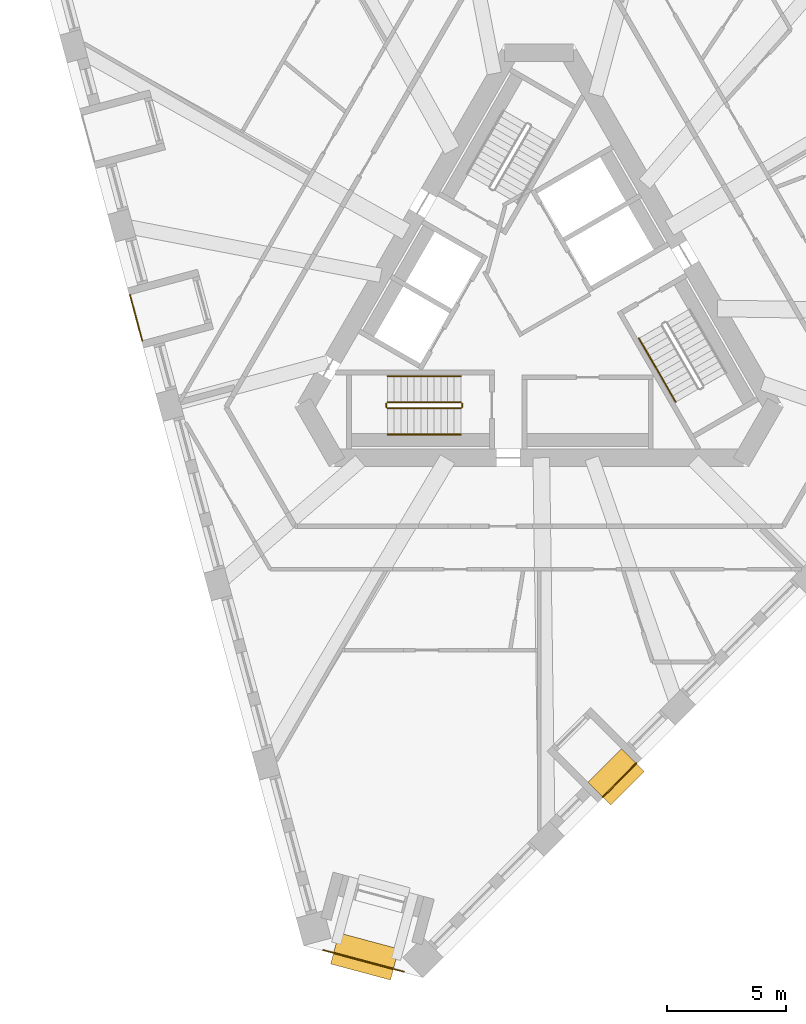
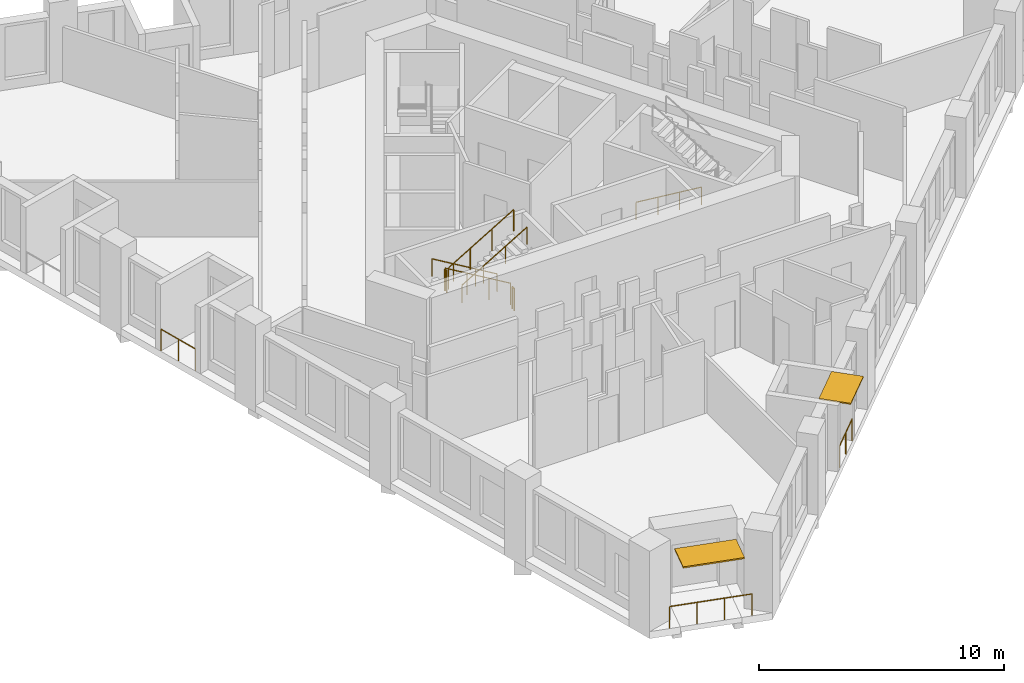
# One storey, part 10 of 13: 10 railings, 2 shading devices.
"""IFC4 building model written with IfcOpenShell, lengths in metres."""

from ifc_helpers import new_model, si_unit, direction, frame, origin, origin_2d, place, context, subcontext, project, spatial, rectangle, circle, extrude, material, layer, layer_set, type_object, element, save


model = new_model("IFC4")

# Units and contexts
model_context = context("Model", 3, precision=1e-05, world=origin(), true_north=direction((0.0, 1.0)))
body_context = subcontext(model_context, "Body", "Model", "MODEL_VIEW")
ifc_project = project(units=[si_unit("LENGTHUNIT", "METRE"), si_unit("AREAUNIT", "SQUARE_METRE"), si_unit("VOLUMEUNIT", "CUBIC_METRE"), si_unit("PLANEANGLEUNIT", "RADIAN"), si_unit("MASSUNIT", "GRAM", prefix="KILO")], contexts=[model_context])

# Site, building, storey
site_placement = place(None, origin())
site = spatial("IfcSite", under=ifc_project, at=site_placement, CompositionType="ELEMENT")
building_placement = place(site_placement, origin())
building = spatial("IfcBuilding", under=site, at=building_placement, Name="Tramontana Tower", CompositionType="ELEMENT")
storey_placement = place(building_placement, frame((0.0, 0.0, 200.0)))
storey = spatial("IfcBuildingStorey", under=building, at=storey_placement, Name="L46", CompositionType="ELEMENT", Elevation=200.0)

# Railings
ifc_material_1 = material(Name="Laminated glass balustrade", Category="glass")
railing_type_1 = type_object("IfcRailingType", Name="GD1 Loggia glass balustrade 1100", PredefinedType="BALUSTRADE", material=ifc_material_1)
railing_1_placement = place(storey_placement, frame((-17.176025390625, 0.466552734375, 0.0)))
element("IfcRailing", 1, at=railing_1_placement, inside=storey, type_object=railing_type_1, Name="Loggia balustrade L46 G5S0.7", PredefinedType="BALUSTRADE", context=body_context, shape_type="SweptSolid", body=[
    extrude(circle(Radius=0.02392578125, at=origin_2d()), frame((0.0, 0.0, 1.076171875), z_axis=(0.258803270362, -0.96593005298, 0.0), x_axis=(0.96593005298, 0.258803270362, 0.0)), (0.0, 0.0, 1.0), 1.998046875),
    extrude(circle(Radius=0.02099609375, at=origin_2d()), origin(), (0.0, 0.0, 1.0), 1.052001953125),
    extrude(circle(Radius=0.02099609375, at=origin_2d()), frame((0.258544921875, -0.96484375, 0.0)), (0.0, 0.0, 1.0), 1.052001953125),
    extrude(circle(Radius=0.02099609375, at=origin_2d()), frame((0.51708984375, -1.929931640625, 0.0)), (0.0, 0.0, 1.0), 1.052001953125),
])
railing_2_placement = place(storey_placement, frame((2.672607421875, -20.619384765625, 0.0)))
element("IfcRailing", 2, at=railing_2_placement, inside=storey, type_object=railing_type_1, Name="Loggia balustrade L46 G5S1.4", PredefinedType="BALUSTRADE", context=body_context, shape_type="SweptSolid", body=[
    extrude(circle(Radius=0.02392578125, at=origin_2d()), frame((0.0, 0.0, 1.076171875), z_axis=(0.707106781187, 0.707106781187, 0.0), x_axis=(-0.707106781187, 0.707106781187, 0.0)), (0.0, 0.0, 1.0), 1.998046875),
    extrude(circle(Radius=0.02099609375, at=origin_2d()), origin(), (0.0, 0.0, 1.0), 1.052001953125),
    extrude(circle(Radius=0.02099609375, at=origin_2d()), frame((0.70654296875, 0.70654296875, 0.0)), (0.0, 0.0, 1.0), 1.052001953125),
    extrude(circle(Radius=0.02099609375, at=origin_2d()), frame((1.412841796875, 1.412841796875, 0.0)), (0.0, 0.0, 1.0), 1.052001953125),
])
railing_3_placement = place(storey_placement, frame((-5.67822265625, -27.952880859375, 0.0)))
element("IfcRailing", 3, at=railing_3_placement, inside=storey, type_object=railing_type_1, Name="Corner loggia balustrade L46 K51", PredefinedType="BALUSTRADE", context=body_context, shape_type="SweptSolid", body=[
    extrude(circle(Radius=0.02392578125, at=origin_2d()), frame((0.0, 0.0, 1.076171875), z_axis=(-0.965913486506, 0.258865093408, 0.0), x_axis=(-0.258865093408, -0.965913486506, 0.0)), (0.0, 0.0, 1.0), 3.5),
    extrude(circle(Radius=0.02099609375, at=origin_2d()), origin(), (0.0, 0.0, 1.0), 1.052001953125),
    extrude(circle(Radius=0.02099609375, at=origin_2d()), frame((-1.126953125, 0.302001953125, 0.0)), (0.0, 0.0, 1.0), 1.052001953125),
    extrude(circle(Radius=0.02099609375, at=origin_2d()), frame((-2.253662109375, 0.60400390625, 0.0)), (0.0, 0.0, 1.0), 1.052001953125),
    extrude(circle(Radius=0.02099609375, at=origin_2d()), frame((-3.380615234375, 0.906005859375, 0.0)), (0.0, 0.0, 1.0), 1.052001953125),
])

# Shading devices
ifc_material_2 = material(Name="Precast concrete 60 MPa", Category="concrete")
ifc_layer_1 = layer(ifc_material_2, 0.06005859375)
ifc_layer_set_1 = layer_set([ifc_layer_1], Name="SS1 Stone sunshade blade 60")
shading_device_type_1 = type_object("IfcShadingDeviceType", Name="SS1 Stone sunshade blade 60", PredefinedType="USERDEFINED", material=ifc_layer_set_1)
shading_device_1_placement = place(storey_placement, frame((3.2412109375, -19.775146484375, 3.239990234375), z_axis=(0.0, 0.0, 1.0), x_axis=(0.707106781187, 0.707106781187, 0.0)))
element("IfcShadingDevice", 4, at=shading_device_1_placement, inside=storey, type_object=shading_device_type_1, Name="Sunshade L46 G5S1.4", ObjectType="SUNSHADE", PredefinedType="USERDEFINED", context=body_context, shape_type="SweptSolid", body=[
    extrude(rectangle(XDim=1.998046875, YDim=1.35009765625, at=origin_2d()), origin(), (0.0, 0.0, 1.0), 0.06005859375),
])
ifc_material_3 = material(Name="Precast concrete 60 MPa", Category="concrete")
ifc_layer_2 = layer(ifc_material_3, 0.070068359375)
ifc_layer_set_2 = layer_set([ifc_layer_2], Name="SS2 Stone sunshade blade 70")
shading_device_type_2 = type_object("IfcShadingDeviceType", Name="SS2 Stone sunshade blade 70", PredefinedType="USERDEFINED", material=ifc_layer_set_2)
shading_device_2_placement = place(storey_placement, frame((-7.318115234375, -27.3115234375, 3.22998046875), z_axis=(0.0, 0.0, 1.0), x_axis=(-0.965925826289, 0.258819045103, 0.0)))
element("IfcShadingDevice", 5, at=shading_device_2_placement, inside=storey, type_object=shading_device_type_2, Name="Corner sunshade L46 K51", ObjectType="SUNSHADE", PredefinedType="USERDEFINED", context=body_context, shape_type="SweptSolid", body=[
    extrude(rectangle(XDim=2.60009765625, YDim=1.35009765625, at=origin_2d()), origin(), (0.0, 0.0, 1.0), 0.070068359375),
])

# Railings
ifc_material_4 = material(Name="Painted steel", Category="steel")
railing_type_2 = type_object("IfcRailingType", Name="STAIR GUARD 1100", PredefinedType="GUARDRAIL", material=ifc_material_4)
railing_4_placement = place(storey_placement, frame((-3.280029296875, -4.050048828125, 0.166748046875)))
element("IfcRailing", 6, at=railing_4_placement, inside=storey, type_object=railing_type_2, Name="L46 ST2 stair guard 1", PredefinedType="GUARDRAIL", context=body_context, shape_type="SweptSolid", body=[
    extrude(circle(Radius=0.02392578125, at=origin_2d()), frame((0.0, 0.0, 1.076171875), z_axis=(-0.859308565015, 0.0, 0.511457515432), x_axis=(0.0, -1.0, 0.0)), (0.0, 0.0, 1.0), 3.58447265625),
    extrude(circle(Radius=0.02099609375, at=origin_2d()), origin(), (0.0, 0.0, 1.0), 1.052001953125),
    extrude(circle(Radius=0.02099609375, at=origin_2d()), frame((-1.026611328125, 0.0, 0.611083984375)), (0.0, 0.0, 1.0), 1.052001953125),
    extrude(circle(Radius=0.02099609375, at=origin_2d()), frame((-2.053466796875, 0.0, 1.22216796875)), (0.0, 0.0, 1.0), 1.052001953125),
    extrude(circle(Radius=0.02099609375, at=origin_2d()), frame((-3.080078125, 0.0, 1.833251953125)), (0.0, 0.0, 1.0), 1.052001953125),
])
railing_5_placement = place(storey_placement, frame((-6.360107421875, -4.300048828125, 2.166748046875)))
element("IfcRailing", 7, at=railing_5_placement, inside=storey, type_object=railing_type_2, Name="L46 ST2 stair guard 2", PredefinedType="GUARDRAIL", context=body_context, shape_type="SweptSolid", body=[
    extrude(circle(Radius=0.02392578125, at=origin_2d()), frame((0.0, 0.0, 1.076171875), z_axis=(0.859308565015, 0.0, 0.511457515432), x_axis=(0.0, 1.0, 0.0)), (0.0, 0.0, 1.0), 3.58447265625),
    extrude(circle(Radius=0.02099609375, at=origin_2d()), origin(), (0.0, 0.0, 1.0), 1.052001953125),
    extrude(circle(Radius=0.02099609375, at=origin_2d()), frame((1.026611328125, 0.0, 0.611083984375)), (0.0, 0.0, 1.0), 1.052001953125),
    extrude(circle(Radius=0.02099609375, at=origin_2d()), frame((2.053466796875, 0.0, 1.22216796875)), (0.0, 0.0, 1.0), 1.052001953125),
    extrude(circle(Radius=0.02099609375, at=origin_2d()), frame((3.080078125, 0.0, 1.833251953125)), (0.0, 0.0, 1.0), 1.052001953125),
])
for number, where, name in (
    (8, (-6.409912109375, -4.10009765625, 2.0), "L46 ST2 stair guard 3"),
    (9, (-3.22998046875, -4.10009765625, 0.0), "L46 ST2 stair guard 4"),
):
    element("IfcRailing", number, at=place(storey_placement, frame(where)), inside=storey, type_object=railing_type_2, Name=name, PredefinedType="GUARDRAIL", context=body_context, shape_type="SweptSolid", body=[
        extrude(circle(Radius=0.02392578125, at=origin_2d()), frame((0.0, 0.0, 1.076171875), z_axis=(0.0, -1.0, 0.0), x_axis=(1.0, 0.0, 0.0)), (0.0, 0.0, 1.0), 0.14990234375),
        extrude(circle(Radius=0.02099609375, at=origin_2d()), origin(), (0.0, 0.0, 1.0), 1.052001953125),
        extrude(circle(Radius=0.02099609375, at=origin_2d()), frame((0.0, -0.14990234375, 0.0)), (0.0, 0.0, 1.0), 1.052001953125),
    ])
ifc_material_5 = material(Name="Painted steel", Category="steel")
railing_type_3 = type_object("IfcRailingType", Name="STAIR HANDRAIL 900", PredefinedType="HANDRAIL", material=ifc_material_5)
railing_6_placement = place(storey_placement, frame((-3.280029296875, -2.949951171875, 0.166748046875)))
element("IfcRailing", 10, at=railing_6_placement, inside=storey, type_object=railing_type_3, Name="L46 ST2 stair handrail 1", PredefinedType="HANDRAIL", context=body_context, shape_type="SweptSolid", body=[
    extrude(circle(Radius=0.02392578125, at=origin_2d()), frame((0.0, 0.0, 0.8759765625), z_axis=(-0.859308565015, 0.0, 0.511457515432), x_axis=(0.0, -1.0, 0.0)), (0.0, 0.0, 1.0), 3.58447265625),
    extrude(circle(Radius=0.02099609375, at=origin_2d()), origin(), (0.0, 0.0, 1.0), 0.851806640625),
    extrude(circle(Radius=0.02099609375, at=origin_2d()), frame((-1.026611328125, 0.0, 0.611083984375)), (0.0, 0.0, 1.0), 0.851806640625),
    extrude(circle(Radius=0.02099609375, at=origin_2d()), frame((-2.053466796875, 0.0, 1.22216796875)), (0.0, 0.0, 1.0), 0.851806640625),
    extrude(circle(Radius=0.02099609375, at=origin_2d()), frame((-3.080078125, 0.0, 1.833251953125)), (0.0, 0.0, 1.0), 0.851806640625),
])
railing_7_placement = place(storey_placement, frame((-6.360107421875, -5.39990234375, 2.166748046875)))
element("IfcRailing", 11, at=railing_7_placement, inside=storey, type_object=railing_type_3, Name="L46 ST2 stair handrail 2", PredefinedType="HANDRAIL", context=body_context, shape_type="SweptSolid", body=[
    extrude(circle(Radius=0.02392578125, at=origin_2d()), frame((0.0, 0.0, 0.8759765625), z_axis=(0.859308565015, 0.0, 0.511457515432), x_axis=(0.0, 1.0, 0.0)), (0.0, 0.0, 1.0), 3.58447265625),
    extrude(circle(Radius=0.02099609375, at=origin_2d()), origin(), (0.0, 0.0, 1.0), 0.851806640625),
    extrude(circle(Radius=0.02099609375, at=origin_2d()), frame((1.026611328125, 0.0, 0.611083984375)), (0.0, 0.0, 1.0), 0.851806640625),
    extrude(circle(Radius=0.02099609375, at=origin_2d()), frame((2.053466796875, 0.0, 1.22216796875)), (0.0, 0.0, 1.0), 0.851806640625),
    extrude(circle(Radius=0.02099609375, at=origin_2d()), frame((3.080078125, 0.0, 1.833251953125)), (0.0, 0.0, 1.0), 0.851806640625),
])
railing_8_placement = place(storey_placement, frame((4.19482421875, -1.365478515625, 0.166748046875)))
element("IfcRailing", 12, at=railing_8_placement, inside=storey, type_object=railing_type_3, Name="L46 ST3 stair handrail 1", PredefinedType="HANDRAIL", context=body_context, shape_type="SweptSolid", body=[
    extrude(circle(Radius=0.02392578125, at=origin_2d()), frame((0.0, 0.0, 0.8759765625), z_axis=(0.429649414936, -0.744189839504, 0.511451721109), x_axis=(0.866029832698, 0.499992328818, 0.0)), (0.0, 0.0, 1.0), 3.58447265625),
    extrude(circle(Radius=0.02099609375, at=origin_2d()), origin(), (0.0, 0.0, 1.0), 0.851806640625),
    extrude(circle(Radius=0.02099609375, at=origin_2d()), frame((0.513427734375, -0.88916015625, 0.611083984375)), (0.0, 0.0, 1.0), 0.851806640625),
    extrude(circle(Radius=0.02099609375, at=origin_2d()), frame((1.026611328125, -1.7783203125, 1.22216796875)), (0.0, 0.0, 1.0), 0.851806640625),
    extrude(circle(Radius=0.02099609375, at=origin_2d()), frame((1.5400390625, -2.66748046875, 1.833251953125)), (0.0, 0.0, 1.0), 0.851806640625),
])

save(model, "model.ifc")
